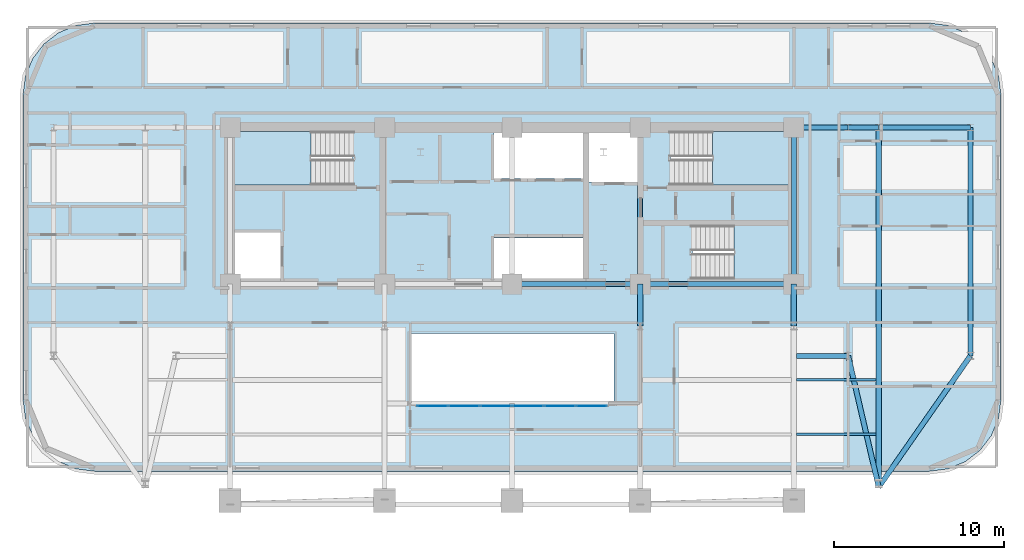
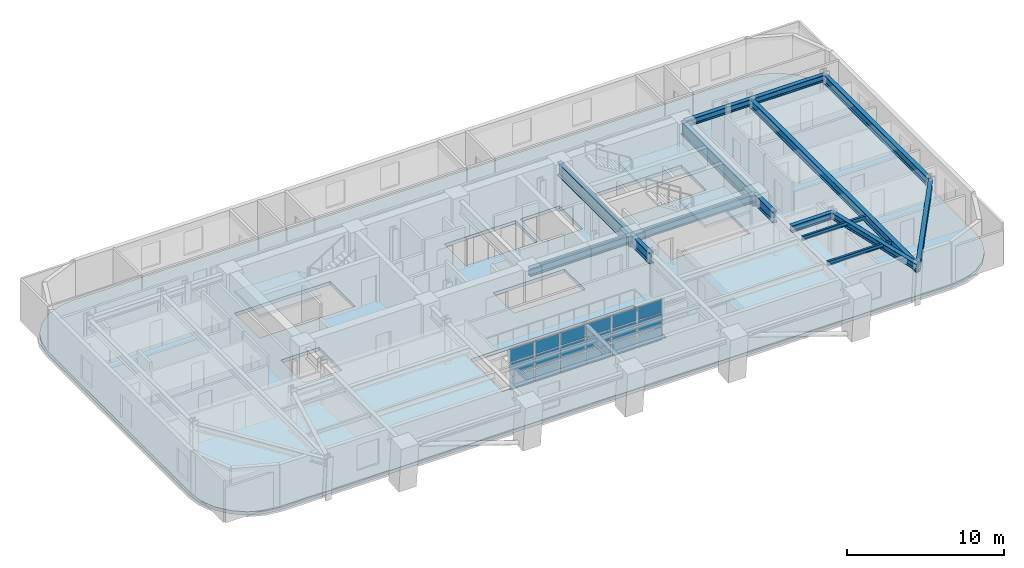
# One storey, part 5 of 14: 18 plates, 16 beams, 4 slabs, 4 elements without a shape of their own.
"""IFC4 building model written with IfcOpenShell, lengths in metres."""

from ifc_helpers import new_model, si_unit, direction, frame, origin, origin_2d, place, context, subcontext, project, spatial, polyline, rectangle, i_section, outline, extrude, material, layer, layer_set, material_profile, profile_set, type_object, element, aggregate, save


model = new_model("IFC4")

# Units and contexts
model_context = context("Model", 3, precision=1e-05, world=origin(), true_north=direction((0.0, 1.0)))
body_context = subcontext(model_context, "Body", "Model", "MODEL_VIEW")
ifc_project = project(units=[si_unit("LENGTHUNIT", "METRE"), si_unit("AREAUNIT", "SQUARE_METRE"), si_unit("VOLUMEUNIT", "CUBIC_METRE"), si_unit("PLANEANGLEUNIT", "RADIAN"), si_unit("MASSUNIT", "GRAM", prefix="KILO")], contexts=[model_context])

# Site, building, storey
site_placement = place(None, origin())
site = spatial("IfcSite", under=ifc_project, at=site_placement, CompositionType="ELEMENT")
building_placement = place(site_placement, origin())
building = spatial("IfcBuilding", under=site, at=building_placement, Name="Zarnavel Station Tower", CompositionType="ELEMENT")
storey_placement = place(building_placement, frame((0.0, 0.0, 122.300048828125)))
storey = spatial("IfcBuildingStorey", under=building, at=storey_placement, Name="L33", CompositionType="ELEMENT", Elevation=122.300048828125)

# Beams
ifc_material_1 = material(Name="Steel S355J2", Category="steel")
ifc_material_profile_1 = material_profile(ifc_material_1, i_section(OverallWidth=0.300048828125, OverallDepth=0.5, WebThickness=0.014404296875, FlangeThickness=0.028076171875, FilletRadius=0.027099609375, at=origin_2d()), Name="HEB500")
ifc_profile_set_1 = profile_set([ifc_material_profile_1], Name="Steel S355J2")
beam_type_1 = type_object("IfcBeamType", Name="FG_HEB500", PredefinedType="USERDEFINED", material=ifc_profile_set_1)
for number, where, z_axis, x_axis, name in (
    (1, (45.544921875, 23.60009765625, 2.989990234375), (1.0, 0.0, 0.0), (0.0, 1.0, 0.0), "L33 East Wing South Tie 1"),
    (2, (45.544921875, 37.050048828125, 2.989990234375), (1.0, 0.0, 0.0), (0.0, 1.0, 0.0), "L33 East Wing North Tie 1"),
):
    element("IfcBeam", number, at=place(storey_placement, frame(where, z_axis=z_axis, x_axis=x_axis)), inside=storey, type_object=beam_type_1, Name=name, ObjectType="GIRDER", PredefinedType="USERDEFINED", context=body_context, shape_type="SweptSolid", body=[
        extrude(i_section(OverallWidth=0.300048828125, OverallDepth=0.5, WebThickness=0.014404296875, FlangeThickness=0.028076171875, FilletRadius=0.027099609375, at=origin_2d()), origin(), (0.0, 0.0, 1.0), 3.05517578125),
    ])
beam_1_placement = place(storey_placement, frame((48.60009765625, 23.60009765625, 2.989990234375), z_axis=(0.226551463228, -0.97399919636, 0.0), x_axis=(0.97399919636, 0.226551463228, 0.0)))
element("IfcBeam", 3, at=beam_1_placement, inside=storey, type_object=beam_type_1, Name="L33 East Wing South Tie 2", ObjectType="GIRDER", PredefinedType="USERDEFINED", context=body_context, shape_type="SweptSolid", body=[
    extrude(i_section(OverallWidth=0.300048828125, OverallDepth=0.5, WebThickness=0.014404296875, FlangeThickness=0.028076171875, FilletRadius=0.027099609375, at=origin_2d()), origin(), (0.0, 0.0, 1.0), 7.9443359375),
])
beam_2_placement = place(storey_placement, frame((48.60009765625, 37.050048828125, 2.989990234375), z_axis=(1.0, 0.0, 0.0), x_axis=(0.0, 1.0, 0.0)))
element("IfcBeam", 4, at=beam_2_placement, inside=storey, type_object=beam_type_1, Name="L33 East Wing North Tie 2", ObjectType="GIRDER", PredefinedType="USERDEFINED", context=body_context, shape_type="SweptSolid", body=[
    extrude(i_section(OverallWidth=0.300048828125, OverallDepth=0.5, WebThickness=0.014404296875, FlangeThickness=0.028076171875, FilletRadius=0.027099609375, at=origin_2d()), origin(), (0.0, 0.0, 1.0), 1.7998046875),
])
beam_3_placement = place(storey_placement, frame((50.39990234375, 15.8623046875, 2.989990234375), z_axis=(0.572301791349, 0.820043084001, 0.0), x_axis=(-0.820043084001, 0.572301791349, 0.0)))
element("IfcBeam", 5, at=beam_3_placement, inside=storey, type_object=beam_type_1, Name="L33 East Wing South Tie 3", ObjectType="GIRDER", PredefinedType="USERDEFINED", context=body_context, shape_type="SweptSolid", body=[
    extrude(i_section(OverallWidth=0.300048828125, OverallDepth=0.5, WebThickness=0.014404296875, FlangeThickness=0.028076171875, FilletRadius=0.027099609375, at=origin_2d()), origin(), (0.0, 0.0, 1.0), 9.435791015625),
])
beam_4_placement = place(storey_placement, frame((50.39990234375, 37.050048828125, 2.989990234375), z_axis=(1.0, 0.0, 0.0), x_axis=(0.0, 1.0, 0.0)))
element("IfcBeam", 6, at=beam_4_placement, inside=storey, type_object=beam_type_1, Name="L33 East Wing North Tie 3", ObjectType="GIRDER", PredefinedType="USERDEFINED", context=body_context, shape_type="SweptSolid", body=[
    extrude(i_section(OverallWidth=0.300048828125, OverallDepth=0.5, WebThickness=0.014404296875, FlangeThickness=0.028076171875, FilletRadius=0.027099609375, at=origin_2d()), origin(), (0.0, 0.0, 1.0), 5.400146484375),
])
ifc_material_2 = material(Name="Steel S355J2", Category="steel")
ifc_material_profile_2 = material_profile(ifc_material_2, i_section(OverallWidth=0.300048828125, OverallDepth=0.60009765625, WebThickness=0.015380859375, FlangeThickness=0.030029296875, FilletRadius=0.027099609375, at=origin_2d()), Name="HEB600")
ifc_profile_set_2 = profile_set([ifc_material_profile_2], Name="Steel S355J2")
beam_type_2 = type_object("IfcBeamType", Name="FG_HEB600", PredefinedType="USERDEFINED", material=ifc_profile_set_2)
beam_5_placement = place(storey_placement, frame((28.800048828125, 27.820068359375, 2.93994140625), z_axis=(1.0, 0.0, 0.0), x_axis=(0.0, 1.0, 0.0)))
element("IfcBeam", 7, at=beam_5_placement, inside=storey, type_object=beam_type_2, Name="L33 Core Front Coupling Beam 3", ObjectType="GIRDER", PredefinedType="USERDEFINED", context=body_context, shape_type="SweptSolid", body=[
    extrude(i_section(OverallWidth=0.300048828125, OverallDepth=0.60009765625, WebThickness=0.015380859375, FlangeThickness=0.030029296875, FilletRadius=0.027099609375, at=origin_2d()), origin(), (0.0, 0.0, 1.0), 7.550048828125),
])
beam_6_placement = place(storey_placement, frame((36.35009765625, 27.820068359375, 2.93994140625), z_axis=(1.0, 0.0, 0.0), x_axis=(0.0, 1.0, 0.0)))
element("IfcBeam", 8, at=beam_6_placement, inside=storey, type_object=beam_type_2, Name="L33 Core Front Coupling Beam 4", ObjectType="GIRDER", PredefinedType="USERDEFINED", context=body_context, shape_type="SweptSolid", body=[
    extrude(i_section(OverallWidth=0.300048828125, OverallDepth=0.60009765625, WebThickness=0.015380859375, FlangeThickness=0.030029296875, FilletRadius=0.027099609375, at=origin_2d()), origin(), (0.0, 0.0, 1.0), 9.0498046875),
])
ifc_material_3 = material(Name="Steel S355J2", Category="steel")
ifc_material_profile_3 = material_profile(ifc_material_3, i_section(OverallWidth=0.300048828125, OverallDepth=0.64990234375, WebThickness=0.01611328125, FlangeThickness=0.031005859375, FilletRadius=0.027099609375, at=origin_2d()), Name="HEB650")
ifc_profile_set_3 = profile_set([ifc_material_profile_3], Name="Steel S355J2")
beam_type_3 = type_object("IfcBeamType", Name="FG_HEB650", PredefinedType="USERDEFINED", material=ifc_profile_set_3)
beam_7_placement = place(storey_placement, frame((50.39990234375, 15.8623046875, 2.9150390625), z_axis=(0.0, 1.0, 0.0), x_axis=(-1.0, 0.0, 0.0)))
element("IfcBeam", 9, at=beam_7_placement, inside=storey, type_object=beam_type_3, Name="L33 Wing NS Girder 3", ObjectType="GIRDER", PredefinedType="USERDEFINED", context=body_context, shape_type="SweptSolid", body=[
    extrude(i_section(OverallWidth=0.300048828125, OverallDepth=0.64990234375, WebThickness=0.01611328125, FlangeThickness=0.031005859375, FilletRadius=0.027099609375, at=origin_2d()), origin(), (0.0, 0.0, 1.0), 21.187744140625),
])
beam_8_placement = place(storey_placement, frame((55.800048828125, 23.60009765625, 2.9150390625), z_axis=(0.0, 1.0, 0.0), x_axis=(-1.0, 0.0, 0.0)))
element("IfcBeam", 10, at=beam_8_placement, inside=storey, type_object=beam_type_3, Name="L33 Wing NS Girder 4", ObjectType="GIRDER", PredefinedType="USERDEFINED", context=body_context, shape_type="SweptSolid", body=[
    extrude(i_section(OverallWidth=0.300048828125, OverallDepth=0.64990234375, WebThickness=0.01611328125, FlangeThickness=0.031005859375, FilletRadius=0.027099609375, at=origin_2d()), origin(), (0.0, 0.0, 1.0), 13.449951171875),
])
ifc_material_4 = material(Name="Steel S460M", Category="steel")
ifc_material_profile_4 = material_profile(ifc_material_4, i_section(OverallWidth=0.302978515625, OverallDepth=0.81396484375, WebThickness=0.02099609375, FlangeThickness=0.0400390625, FilletRadius=0.030029296875, at=origin_2d()), Name="HEM800")
ifc_profile_set_4 = profile_set([ifc_material_profile_4], Name="Steel S460M")
beam_type_4 = type_object("IfcBeamType", Name="FG_HEM800", PredefinedType="USERDEFINED", material=ifc_profile_set_4)
for number, where, z_axis, x_axis, name in (
    (11, (36.35009765625, 25.35009765625, 2.8330078125), (0.0, 1.0, 0.0), (-1.0, 0.0, 0.0), "L33 Inner-Zone NS Girder 4"),
    (12, (45.39990234375, 25.35009765625, 2.8330078125), (0.0, 1.0, 0.0), (-1.0, 0.0, 0.0), "L33 Inner-Zone NS Girder 5"),
):
    element("IfcBeam", number, at=place(storey_placement, frame(where, z_axis=z_axis, x_axis=x_axis)), inside=storey, type_object=beam_type_4, Name=name, ObjectType="GIRDER", PredefinedType="USERDEFINED", context=body_context, shape_type="SweptSolid", body=[
        extrude(i_section(OverallWidth=0.302978515625, OverallDepth=0.81396484375, WebThickness=0.02099609375, FlangeThickness=0.0400390625, FilletRadius=0.030029296875, at=origin_2d()), origin(), (0.0, 0.0, 1.0), 2.469970703125),
    ])
ifc_material_5 = material(Name="Steel S355J2", Category="steel")
ifc_material_profile_5 = material_profile(ifc_material_5, i_section(OverallWidth=0.14990234375, OverallDepth=0.300048828125, WebThickness=0.007080078125, FlangeThickness=0.0107421875, FilletRadius=0.014892578125, at=origin_2d()), Name="IPE300")
ifc_profile_set_5 = profile_set([ifc_material_profile_5], Name="Steel S355J2")
beam_type_5 = type_object("IfcBeamType", Name="FJ_IPE300", PredefinedType="JOIST", material=ifc_profile_set_5)
for number, where, z_axis, x_axis, name in (
    (13, (45.544921875, 18.9677734375, 3.08984375), (1.0, 0.0, 0.0), (0.0, 1.0, 0.0), "L33 East Wing Joist 1"),
    (14, (45.544921875, 22.183837890625, 3.08984375), (1.0, 0.0, 0.0), (0.0, 1.0, 0.0), "L33 East Wing Joist 2"),
):
    element("IfcBeam", number, at=place(storey_placement, frame(where, z_axis=z_axis, x_axis=x_axis)), inside=storey, type_object=beam_type_5, Name=name, PredefinedType="JOIST", context=body_context, shape_type="SweptSolid", body=[
        extrude(i_section(OverallWidth=0.14990234375, OverallDepth=0.300048828125, WebThickness=0.007080078125, FlangeThickness=0.0107421875, FilletRadius=0.014892578125, at=origin_2d()), origin(), (0.0, 0.0, 1.0), 4.7099609375),
    ])
ifc_material_6 = material(Name="Steel S460M", Category="steel")
ifc_material_profile_6 = material_profile(ifc_material_6, i_section(OverallWidth=0.302001953125, OverallDepth=1.008056640625, WebThickness=0.02099609375, FlangeThickness=0.0400390625, FilletRadius=0.030029296875, at=origin_2d()), Name="HEM1000")
ifc_profile_set_6 = profile_set([ifc_material_profile_6], Name="Steel S460M")
beam_type_6 = type_object("IfcBeamType", Name="TG_HEM1000", PredefinedType="USERDEFINED", material=ifc_profile_set_6)
for number, where, z_axis, x_axis, name in (
    (15, (36.35009765625, 27.820068359375, 2.73583984375), (0.0, 1.0, 0.0), (-1.0, 0.0, 0.0), "L33 Core Spine Coupling Girder 4"),
    (16, (45.39990234375, 27.820068359375, 2.73583984375), (0.0, 1.0, 0.0), (-1.0, 0.0, 0.0), "L33 Core Spine Coupling Girder 5"),
):
    element("IfcBeam", number, at=place(storey_placement, frame(where, z_axis=z_axis, x_axis=x_axis)), inside=storey, type_object=beam_type_6, Name=name, ObjectType="GIRDER", PredefinedType="USERDEFINED", context=body_context, shape_type="SweptSolid", body=[
        extrude(i_section(OverallWidth=0.302001953125, OverallDepth=1.008056640625, WebThickness=0.02099609375, FlangeThickness=0.0400390625, FilletRadius=0.030029296875, at=origin_2d()), origin(), (0.0, 0.0, 1.0), 9.22998046875),
    ])

# Curtain wall, plates
ifc_material_7 = material(Name="Aluminium Dark Anodised and Solar-Control Glass", Category="aluminium")
ifc_layer_1 = layer(ifc_material_7, 0.179931640625)
ifc_layer_set_1 = layer_set([ifc_layer_1], Name="CWS3")
curtain_wall_type = type_object("IfcCurtainWallType", Name="CWS3", PredefinedType="NOTDEFINED", material=ifc_layer_set_1)
curtain_wall_placement = place(storey_placement, origin())
curtain_wall = element("IfcCurtainWall", 17, at=curtain_wall_placement, inside=storey, type_object=curtain_wall_type, Name="L33 Curtain Wall CWS3-L33-AS", PredefinedType="NOTDEFINED")
ifc_material_8 = material(Name="Double Low-E Dark Solar-Control Glass", Category="glass")
ifc_layer_2 = layer(ifc_material_8, 0.030029296875)
ifc_layer_set_2 = layer_set([ifc_layer_2], Name="CWS3_PNL")
plate_type = type_object("IfcPlateType", Name="CWS3_PNL", PredefinedType="CURTAIN_PANEL", material=ifc_layer_set_2)
plate_1_placement = place(storey_placement, frame((24.106689453125, 20.64990234375, 0.06005859375), z_axis=(0.0, 0.0, 1.0), x_axis=(1.0, 0.0, 0.0)))
plate_1 = element("IfcPlate", 18, at=plate_1_placement, type_object=plate_type, Name="CW3 panel 1.1", PredefinedType="CURTAIN_PANEL", context=body_context, shape_type="SweptSolid", body=[
    extrude(rectangle(XDim=1.793212890625, YDim=0.028076171875, at=origin_2d()), origin(), (0.0, 0.0, 1.0), 0.989990234375),
])
plate_2_placement = place(storey_placement, frame((24.106689453125, 20.64990234375, 1.10986328125), z_axis=(0.0, 0.0, 1.0), x_axis=(1.0, 0.0, 0.0)))
plate_2 = element("IfcPlate", 19, at=plate_2_placement, type_object=plate_type, Name="CW3 panel 1.2", PredefinedType="CURTAIN_PANEL", context=body_context, shape_type="SweptSolid", body=[
    extrude(rectangle(XDim=1.793212890625, YDim=0.028076171875, at=origin_2d()), origin(), (0.0, 0.0, 1.0), 1.02001953125),
])
plate_3_placement = place(storey_placement, frame((24.106689453125, 20.64990234375, 2.18994140625), z_axis=(0.0, 0.0, 1.0), x_axis=(1.0, 0.0, 0.0)))
plate_3 = element("IfcPlate", 20, at=plate_3_placement, type_object=plate_type, Name="CW3 panel 1.3", PredefinedType="CURTAIN_PANEL", context=body_context, shape_type="SweptSolid", body=[
    extrude(rectangle(XDim=1.793212890625, YDim=0.028076171875, at=origin_2d()), origin(), (0.0, 0.0, 1.0), 0.989990234375),
])
plate_4_placement = place(storey_placement, frame((25.97509765625, 20.64990234375, 0.06005859375), z_axis=(0.0, 0.0, 1.0), x_axis=(1.0, 0.0, 0.0)))
plate_4 = element("IfcPlate", 21, at=plate_4_placement, type_object=plate_type, Name="CW3 panel 2.1", PredefinedType="CURTAIN_PANEL", context=body_context, shape_type="SweptSolid", body=[
    extrude(rectangle(XDim=1.8232421875, YDim=0.028076171875, at=origin_2d()), origin(), (0.0, 0.0, 1.0), 0.989990234375),
])
plate_5_placement = place(storey_placement, frame((25.97509765625, 20.64990234375, 1.10986328125), z_axis=(0.0, 0.0, 1.0), x_axis=(1.0, 0.0, 0.0)))
plate_5 = element("IfcPlate", 22, at=plate_5_placement, type_object=plate_type, Name="CW3 panel 2.2", PredefinedType="CURTAIN_PANEL", context=body_context, shape_type="SweptSolid", body=[
    extrude(rectangle(XDim=1.8232421875, YDim=0.028076171875, at=origin_2d()), origin(), (0.0, 0.0, 1.0), 1.02001953125),
])
plate_6_placement = place(storey_placement, frame((25.97509765625, 20.64990234375, 2.18994140625), z_axis=(0.0, 0.0, 1.0), x_axis=(1.0, 0.0, 0.0)))
plate_6 = element("IfcPlate", 23, at=plate_6_placement, type_object=plate_type, Name="CW3 panel 2.3", PredefinedType="CURTAIN_PANEL", context=body_context, shape_type="SweptSolid", body=[
    extrude(rectangle(XDim=1.8232421875, YDim=0.028076171875, at=origin_2d()), origin(), (0.0, 0.0, 1.0), 0.989990234375),
])
plate_7_placement = place(storey_placement, frame((27.8583984375, 20.64990234375, 0.06005859375), z_axis=(0.0, 0.0, 1.0), x_axis=(1.0, 0.0, 0.0)))
plate_7 = element("IfcPlate", 24, at=plate_7_placement, type_object=plate_type, Name="CW3 panel 3.1", PredefinedType="CURTAIN_PANEL", context=body_context, shape_type="SweptSolid", body=[
    extrude(rectangle(XDim=1.8232421875, YDim=0.028076171875, at=origin_2d()), origin(), (0.0, 0.0, 1.0), 0.989990234375),
])
plate_8_placement = place(storey_placement, frame((27.8583984375, 20.64990234375, 1.10986328125), z_axis=(0.0, 0.0, 1.0), x_axis=(1.0, 0.0, 0.0)))
plate_8 = element("IfcPlate", 25, at=plate_8_placement, type_object=plate_type, Name="CW3 panel 3.2", PredefinedType="CURTAIN_PANEL", context=body_context, shape_type="SweptSolid", body=[
    extrude(rectangle(XDim=1.8232421875, YDim=0.028076171875, at=origin_2d()), origin(), (0.0, 0.0, 1.0), 1.02001953125),
])
plate_9_placement = place(storey_placement, frame((27.8583984375, 20.64990234375, 2.18994140625), z_axis=(0.0, 0.0, 1.0), x_axis=(1.0, 0.0, 0.0)))
plate_9 = element("IfcPlate", 26, at=plate_9_placement, type_object=plate_type, Name="CW3 panel 3.3", PredefinedType="CURTAIN_PANEL", context=body_context, shape_type="SweptSolid", body=[
    extrude(rectangle(XDim=1.8232421875, YDim=0.028076171875, at=origin_2d()), origin(), (0.0, 0.0, 1.0), 0.989990234375),
])
plate_10_placement = place(storey_placement, frame((29.74169921875, 20.64990234375, 0.06005859375), z_axis=(0.0, 0.0, 1.0), x_axis=(1.0, 0.0, 0.0)))
plate_10 = element("IfcPlate", 27, at=plate_10_placement, type_object=plate_type, Name="CW3 panel 4.1", PredefinedType="CURTAIN_PANEL", context=body_context, shape_type="SweptSolid", body=[
    extrude(rectangle(XDim=1.8232421875, YDim=0.028076171875, at=origin_2d()), origin(), (0.0, 0.0, 1.0), 0.989990234375),
])
plate_11_placement = place(storey_placement, frame((29.74169921875, 20.64990234375, 1.10986328125), z_axis=(0.0, 0.0, 1.0), x_axis=(1.0, 0.0, 0.0)))
plate_11 = element("IfcPlate", 28, at=plate_11_placement, type_object=plate_type, Name="CW3 panel 4.2", PredefinedType="CURTAIN_PANEL", context=body_context, shape_type="SweptSolid", body=[
    extrude(rectangle(XDim=1.8232421875, YDim=0.028076171875, at=origin_2d()), origin(), (0.0, 0.0, 1.0), 1.02001953125),
])
plate_12_placement = place(storey_placement, frame((29.74169921875, 20.64990234375, 2.18994140625), z_axis=(0.0, 0.0, 1.0), x_axis=(1.0, 0.0, 0.0)))
plate_12 = element("IfcPlate", 29, at=plate_12_placement, type_object=plate_type, Name="CW3 panel 4.3", PredefinedType="CURTAIN_PANEL", context=body_context, shape_type="SweptSolid", body=[
    extrude(rectangle(XDim=1.8232421875, YDim=0.028076171875, at=origin_2d()), origin(), (0.0, 0.0, 1.0), 0.989990234375),
])
plate_13_placement = place(storey_placement, frame((31.625, 20.64990234375, 0.06005859375), z_axis=(0.0, 0.0, 1.0), x_axis=(1.0, 0.0, 0.0)))
plate_13 = element("IfcPlate", 30, at=plate_13_placement, type_object=plate_type, Name="CW3 panel 5.1", PredefinedType="CURTAIN_PANEL", context=body_context, shape_type="SweptSolid", body=[
    extrude(rectangle(XDim=1.8232421875, YDim=0.028076171875, at=origin_2d()), origin(), (0.0, 0.0, 1.0), 0.989990234375),
])
plate_14_placement = place(storey_placement, frame((31.625, 20.64990234375, 1.10986328125), z_axis=(0.0, 0.0, 1.0), x_axis=(1.0, 0.0, 0.0)))
plate_14 = element("IfcPlate", 31, at=plate_14_placement, type_object=plate_type, Name="CW3 panel 5.2", PredefinedType="CURTAIN_PANEL", context=body_context, shape_type="SweptSolid", body=[
    extrude(rectangle(XDim=1.8232421875, YDim=0.028076171875, at=origin_2d()), origin(), (0.0, 0.0, 1.0), 1.02001953125),
])
plate_15_placement = place(storey_placement, frame((31.625, 20.64990234375, 2.18994140625), z_axis=(0.0, 0.0, 1.0), x_axis=(1.0, 0.0, 0.0)))
plate_15 = element("IfcPlate", 32, at=plate_15_placement, type_object=plate_type, Name="CW3 panel 5.3", PredefinedType="CURTAIN_PANEL", context=body_context, shape_type="SweptSolid", body=[
    extrude(rectangle(XDim=1.8232421875, YDim=0.028076171875, at=origin_2d()), origin(), (0.0, 0.0, 1.0), 0.989990234375),
])
plate_16_placement = place(storey_placement, frame((33.493408203125, 20.64990234375, 0.06005859375), z_axis=(0.0, 0.0, 1.0), x_axis=(1.0, 0.0, 0.0)))
plate_16 = element("IfcPlate", 33, at=plate_16_placement, type_object=plate_type, Name="CW3 panel 6.1", PredefinedType="CURTAIN_PANEL", context=body_context, shape_type="SweptSolid", body=[
    extrude(rectangle(XDim=1.793212890625, YDim=0.028076171875, at=origin_2d()), origin(), (0.0, 0.0, 1.0), 0.989990234375),
])
plate_17_placement = place(storey_placement, frame((33.493408203125, 20.64990234375, 1.10986328125), z_axis=(0.0, 0.0, 1.0), x_axis=(1.0, 0.0, 0.0)))
plate_17 = element("IfcPlate", 34, at=plate_17_placement, type_object=plate_type, Name="CW3 panel 6.2", PredefinedType="CURTAIN_PANEL", context=body_context, shape_type="SweptSolid", body=[
    extrude(rectangle(XDim=1.793212890625, YDim=0.028076171875, at=origin_2d()), origin(), (0.0, 0.0, 1.0), 1.02001953125),
])
plate_18_placement = place(storey_placement, frame((33.493408203125, 20.64990234375, 2.18994140625), z_axis=(0.0, 0.0, 1.0), x_axis=(1.0, 0.0, 0.0)))
plate_18 = element("IfcPlate", 35, at=plate_18_placement, type_object=plate_type, Name="CW3 panel 6.3", PredefinedType="CURTAIN_PANEL", context=body_context, shape_type="SweptSolid", body=[
    extrude(rectangle(XDim=1.793212890625, YDim=0.028076171875, at=origin_2d()), origin(), (0.0, 0.0, 1.0), 0.989990234375),
])
aggregate(curtain_wall, [plate_1, plate_2, plate_3, plate_4, plate_5, plate_6, plate_7, plate_8, plate_9, plate_10, plate_11, plate_12, plate_13, plate_14, plate_15, plate_16, plate_17, plate_18])

# Slab
ifc_material_9 = material(Name="Concrete C45/55", Category="concrete")
ifc_layer_3 = layer(ifc_material_9, 0.260009765625)
ifc_layer_set_3 = layer_set([ifc_layer_3], Name="SL_FLR_260")
slab_type_1 = type_object("IfcSlabType", Name="SL_FLR_260", PredefinedType="FLOOR", material=ifc_layer_set_3)
slab_1_placement = place(storey_placement, frame((0.0, 0.0, -0.260009765625)))
element("IfcSlab", 36, at=slab_1_placement, inside=storey, type_object=slab_type_1, Name="L33 Structural Floor Slab", PredefinedType="FLOOR", context=body_context, shape_type="SweptSolid", body=[
    extrude(outline(polyline([(53.39990234375, 16.800048828125), (54.487060546875, 16.943115234375), (55.5, 17.36279296875), (56.369873046875, 18.0302734375), (57.037353515625, 18.89990234375), (57.456787109375, 19.9130859375), (57.60009765625, 21.0), (57.60009765625, 39.0), (57.456787109375, 40.0869140625), (57.037353515625, 41.10009765625), (56.369873046875, 41.9697265625), (55.5, 42.63720703125), (54.487060546875, 43.056884765625), (53.39990234375, 43.199951171875), (4.199951171875, 43.199951171875), (3.113037109375, 43.056884765625), (2.10009765625, 42.63720703125), (1.230224609375, 41.9697265625), (0.562744140625, 41.10009765625), (0.14306640625, 40.0869140625), (0.0, 39.0), (0.0, 21.0), (0.14306640625, 19.9130859375), (0.562744140625, 18.89990234375), (1.230224609375, 18.0302734375), (2.10009765625, 17.36279296875), (3.113037109375, 16.943115234375), (4.199951171875, 16.800048828125), (53.39990234375, 16.800048828125)]), holes=[polyline([(12.39990234375, 33.659912109375), (19.409912109375, 33.659912109375), (19.409912109375, 36.820068359375), (12.39990234375, 36.820068359375), (12.39990234375, 33.659912109375)]), polyline([(38.14990234375, 33.659912109375), (45.159912109375, 33.659912109375), (45.159912109375, 36.820068359375), (38.14990234375, 36.820068359375), (38.14990234375, 33.659912109375)]), polyline([(39.419921875, 28.1201171875), (45.14990234375, 28.1201171875), (45.14990234375, 31.280029296875), (39.419921875, 31.280029296875), (39.419921875, 28.1201171875)]), polyline([(12.35009765625, 27.949951171875), (15.14990234375, 27.949951171875), (15.14990234375, 30.85009765625), (12.35009765625, 30.85009765625), (12.35009765625, 27.949951171875)]), polyline([(33.320068359375, 33.85009765625), (36.2099609375, 33.85009765625), (36.2099609375, 36.780029296875), (33.320068359375, 36.780029296875), (33.320068359375, 33.85009765625)]), polyline([(27.75, 34.050048828125), (32.97998046875, 34.050048828125), (32.97998046875, 36.780029296875), (27.75, 36.780029296875), (27.75, 34.050048828125)]), polyline([(27.75, 27.949951171875), (32.97998046875, 27.949951171875), (32.97998046875, 30.550048828125), (27.75, 30.550048828125), (27.75, 27.949951171875)]), polyline([(22.800048828125, 20.800048828125), (34.800048828125, 20.800048828125), (34.800048828125, 24.89990234375), (22.800048828125, 24.89990234375), (22.800048828125, 20.800048828125)])]), origin(), (0.0, 0.0, 1.0), 0.260009765625),
])

# Stair, slab
ifc_material_10 = material(Name="Concrete C45/55", Category="concrete")
stair_type = type_object("IfcStairType", Name="ST_CORE_150", PredefinedType="HALF_TURN_STAIR", material=ifc_material_10)
stair_1_placement = place(storey_placement, origin())
stair_1 = element("IfcStair", 37, at=stair_1_placement, inside=storey, type_object=stair_type, Name="L33 Core Exit Stair ST1", PredefinedType="HALF_TURN_STAIR")
ifc_material_11 = material(Name="Concrete C45/55", Category="concrete")
ifc_layer_4 = layer(ifc_material_11, 0.199951171875)
ifc_layer_set_4 = layer_set([ifc_layer_4], Name="SL_STAIR_LAND_200")
slab_type_2 = type_object("IfcSlabType", Name="SL_STAIR_LAND_200", PredefinedType="LANDING", material=ifc_layer_set_4)
slab_2_placement = place(storey_placement, frame((0.0, 0.0, 1.550048828125)))
slab_2 = element("IfcSlab", 38, at=slab_2_placement, type_object=slab_type_2, Name="ST1 landing 1", PredefinedType="LANDING", context=body_context, shape_type="SweptSolid", body=[
    extrude(outline(polyline([(16.9599609375, 36.820068359375), (12.39990234375, 36.820068359375), (12.39990234375, 33.659912109375), (16.9599609375, 33.659912109375), (16.9599609375, 36.820068359375)])), origin(), (0.0, 0.0, 1.0), 0.199951171875),
])
aggregate(stair_1, [slab_2])

stair_2_placement = place(storey_placement, origin())
stair_2 = element("IfcStair", 39, at=stair_2_placement, inside=storey, type_object=stair_type, Name="L33 Core Exit Stair ST2", PredefinedType="HALF_TURN_STAIR")
slab_3_placement = place(storey_placement, frame((0.0, 0.0, 1.550048828125)))
slab_3 = element("IfcSlab", 40, at=slab_3_placement, type_object=slab_type_2, Name="ST2 landing 1", PredefinedType="LANDING", context=body_context, shape_type="SweptSolid", body=[
    extrude(outline(polyline([(40.60009765625, 33.659912109375), (45.159912109375, 33.659912109375), (45.159912109375, 36.820068359375), (40.60009765625, 36.820068359375), (40.60009765625, 33.659912109375)])), origin(), (0.0, 0.0, 1.0), 0.199951171875),
])
aggregate(stair_2, [slab_3])

stair_3_placement = place(storey_placement, origin())
stair_3 = element("IfcStair", 41, at=stair_3_placement, inside=storey, type_object=stair_type, Name="L33 Core Exit Stair ST3", PredefinedType="HALF_TURN_STAIR")
slab_4_placement = place(storey_placement, frame((0.0, 0.0, 1.550048828125)))
slab_4 = element("IfcSlab", 42, at=slab_4_placement, type_object=slab_type_2, Name="ST3 landing 1", PredefinedType="LANDING", context=body_context, shape_type="SweptSolid", body=[
    extrude(outline(polyline([(41.8701171875, 28.1201171875), (45.14990234375, 28.1201171875), (45.14990234375, 31.280029296875), (41.8701171875, 31.280029296875), (41.8701171875, 28.1201171875)])), origin(), (0.0, 0.0, 1.0), 0.199951171875),
])
aggregate(stair_3, [slab_4])

save(model, "model.ifc")
